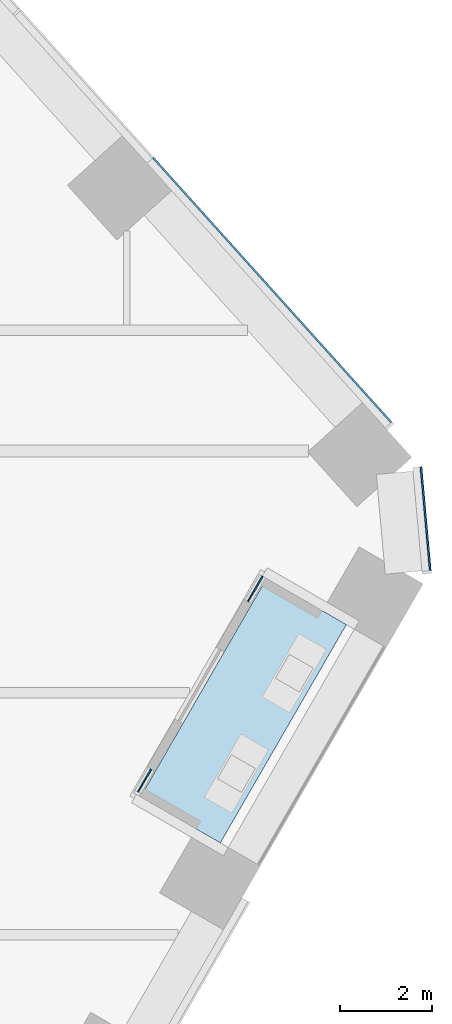
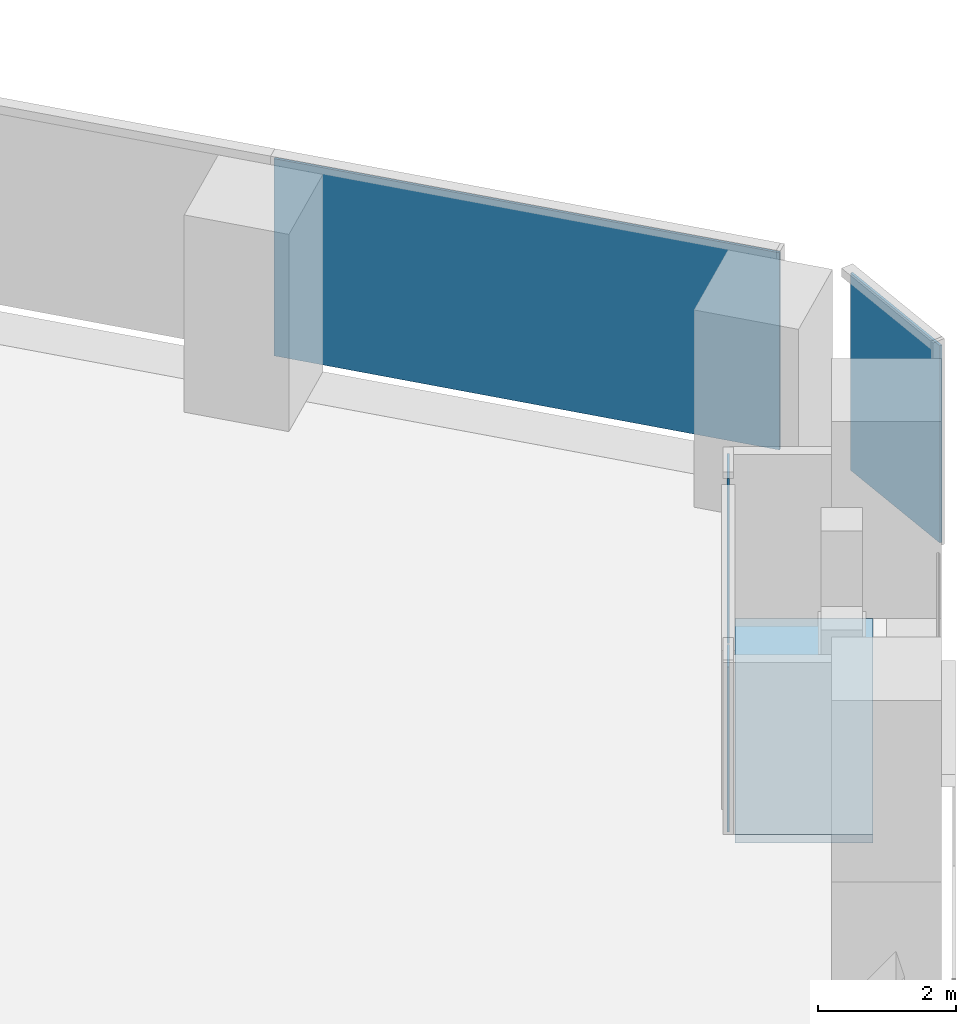
# One storey, part 19 of 28: 4 plates, 1 slab, 3 elements without a shape of their own.
"""IFC4 building model written with IfcOpenShell, lengths in metres."""

import ifcopenshell
import ifcopenshell.guid

model = None  # the IFC model being written
_history = None  # IfcOwnerHistory: only IFC2X3 demands one
_inside = {}  # id of a spatial element -> (the spatial element, [elements in it])
_under = {}  # id of a project, library or spatial element -> (it, [spatial elements below it])
_declared = {}  # id of a project -> (the project, [libraries it declares])
_typed = {}  # id of a type object -> (the type object, [elements of that type])
_made_of = {}  # id of a material, layer set ... -> (it, [elements and type objects made of it])


def new_model(schema):
    """Start an empty IFC model of exactly this schema.

    Asked for "IFC4X3", IfcOpenShell would pick the latest addendum, in which some entities
    have other attributes; the version numbers below select the first issue.
    IFC2X3 requires an IfcOwnerHistory on every rooted entity: one is made here for all.
    """
    global model, _history
    if schema == "IFC4X3":
        model = ifcopenshell.file(schema_version=(4, 3, 0, 0))
    else:
        model = ifcopenshell.file(schema=schema)
    _inside.clear()
    _under.clear()
    _declared.clear()
    _typed.clear()
    _made_of.clear()
    _history = None
    if model.schema == "IFC2X3":
        org = make("IfcOrganization", Name="unknown")
        user = make(
            "IfcPersonAndOrganization",
            ThePerson=make("IfcPerson", FamilyName="unknown"),
            TheOrganization=org,
        )
        app = make(
            "IfcApplication",
            ApplicationDeveloper=org,
            Version="unknown",
            ApplicationFullName="unknown",
            ApplicationIdentifier="unknown",
        )
        _history = make(
            "IfcOwnerHistory",
            OwningUser=user,
            OwningApplication=app,
            ChangeAction="ADDED",
            CreationDate=0,
        )
    return model


def make(cls, **values):
    """One entity of the class cls with the attributes given. An attribute that is None is left unset."""
    return model.create_entity(
        cls, **{name: value for name, value in values.items() if value is not None}
    )


def rooted(cls, **values):
    """An entity with a GlobalId (a new one), such as an element, a storey or a relation."""
    return make(cls, GlobalId=ifcopenshell.guid.new(), OwnerHistory=_history, **values)


def si_unit(unit_type, name, prefix=None):
    """IfcSIUnit, for example si_unit("LENGTHUNIT", "METRE", prefix="MILLI")."""
    return make("IfcSIUnit", UnitType=unit_type, Prefix=prefix, Name=name)


def assignment(units):
    """IfcUnitAssignment: the units of a project."""
    return None if units is None else make("IfcUnitAssignment", Units=units)


def point(xyz):
    """IfcCartesianPoint."""
    return None if xyz is None else make("IfcCartesianPoint", Coordinates=xyz)


def direction(xyz):
    """IfcDirection."""
    return None if xyz is None else make("IfcDirection", DirectionRatios=xyz)


def frame(location, z_axis=None, x_axis=None):
    """IfcAxis2Placement3D, a coordinate frame: its origin and axes. An axis left out is left unset."""
    return make(
        "IfcAxis2Placement3D",
        Location=point(location),
        Axis=direction(z_axis),
        RefDirection=direction(x_axis),
    )


def frame_2d(location, x_axis=None):
    """IfcAxis2Placement2D, a coordinate frame in the plane: its origin and x axis."""
    return make(
        "IfcAxis2Placement2D", Location=point(location), RefDirection=direction(x_axis)
    )


def origin():
    """The frame at (0, 0, 0) with its axes left unset."""
    return frame((0.0, 0.0, 0.0))


def origin_2d():
    """The frame at (0, 0) in the plane with its x axis left unset."""
    return frame_2d((0.0, 0.0))


def place(relative_to, where):
    """IfcLocalPlacement: puts the frame where relative to a parent placement (None: the world)."""
    return make(
        "IfcLocalPlacement", PlacementRelTo=relative_to, RelativePlacement=where
    )


def context(
    kind, dimensions, precision=None, world=None, true_north=None, identifier=None
):
    """IfcGeometricRepresentationContext, for example the 3D "Model" context."""
    return make(
        "IfcGeometricRepresentationContext",
        ContextIdentifier=identifier,
        ContextType=kind,
        CoordinateSpaceDimension=dimensions,
        Precision=precision,
        WorldCoordinateSystem=world,
        TrueNorth=true_north,
    )


def subcontext(parent, identifier, kind, view, scale=None):
    """IfcGeometricRepresentationSubContext, for example "Body" below "Model"."""
    return make(
        "IfcGeometricRepresentationSubContext",
        ContextIdentifier=identifier,
        ContextType=kind,
        ParentContext=parent,
        TargetScale=scale,
        TargetView=view,
    )


def project(units=None, contexts=None):
    """IfcProject with its units and contexts."""
    return rooted(
        "IfcProject",
        Name="project",
        RepresentationContexts=contexts,
        UnitsInContext=assignment(units),
    )


def spatial(cls, under=None, at=None, **own):
    """A site, building, storey or space (cls), placed at a placement, below another one or the project."""
    s = rooted(cls, ObjectPlacement=at, **own)
    if under is not None:
        _under.setdefault(under.id(), (under, []))[1].append(s)
    return s


def polyline(points):
    """IfcPolyline through the points."""
    return make("IfcPolyline", Points=[point(p) for p in points])


def profile(cls, at=None, kind="AREA", **sizes):
    """A parametric profile (cls). Its sizes go by their IFC names, for example OverallWidth=200.0."""
    return make(cls, ProfileType=kind, Position=at, **sizes)


def rectangle(**sizes):
    """IfcRectangleProfileDef."""
    return profile("IfcRectangleProfileDef", **sizes)


def outline(outer, holes=None, kind="AREA"):
    """IfcArbitraryClosedProfileDef: a profile drawn as a closed curve; with holes, ...WithVoids."""
    if holes is None:
        return make("IfcArbitraryClosedProfileDef", ProfileType=kind, OuterCurve=outer)
    return make(
        "IfcArbitraryProfileDefWithVoids",
        ProfileType=kind,
        OuterCurve=outer,
        InnerCurves=holes,
    )


def extrude(swept, where, along, depth):
    """IfcExtrudedAreaSolid: the profile swept, set in the frame where, extruded along a direction by depth."""
    return make(
        "IfcExtrudedAreaSolid",
        SweptArea=swept,
        Position=where,
        ExtrudedDirection=direction(along),
        Depth=depth,
    )


def shape(context_of_items, identifier, shape_type, items):
    """IfcShapeRepresentation: the items that make up one representation, for example the "Body"."""
    return make(
        "IfcShapeRepresentation",
        ContextOfItems=context_of_items,
        RepresentationIdentifier=identifier,
        RepresentationType=shape_type,
        Items=items,
    )


def material(Name=None, Category=None):
    """IfcMaterial."""
    return make("IfcMaterial", Name=Name, Category=Category)


def layer(
    of_material, thickness, ventilated=None, Name=None, Category=None, Priority=None
):
    """IfcMaterialLayer: one layer of a wall or slab, of a material (None: an air gap)."""
    return make(
        "IfcMaterialLayer",
        Material=of_material,
        LayerThickness=thickness,
        IsVentilated=ventilated,
        Name=Name,
        Category=Category,
        Priority=Priority,
    )


def layer_set(layers, Name=None):
    """IfcMaterialLayerSet."""
    return make("IfcMaterialLayerSet", MaterialLayers=layers, LayerSetName=Name)


def made_of(thing, what):
    """Note that an element or type object is made of a material, layer set ...; save() writes the relation."""
    if what is not None:
        _made_of.setdefault(what.id(), (what, []))[1].append(thing)
    return thing


def type_object(cls, material=None, **own):
    """A type object (cls), such as IfcWallType, which elements share."""
    return made_of(rooted(cls, **own), material)


def element(
    cls,
    number,
    at=None,
    inside=None,
    cuts=None,
    type_object=None,
    material=None,
    context=None,
    identifier="Body",
    shape_type=None,
    held_by="IfcProductDefinitionShape",
    body=None,
    shapes=None,
    **own,
):
    """One element of the class cls, such as IfcWall. Its Tag is "e" and its number.

    at: its placement. inside: the storey or other place that contains it. cuts: it is an
    opening in that element (IfcRelVoidsElement). A single representation is given by context,
    identifier, shape_type and body (its items); several are given by shapes. held_by: the class
    of the entity that holds the representations. save() writes the other relations.
    """
    e = rooted(cls, Tag="e%d" % number, ObjectPlacement=at, **own)
    if body is not None:
        shapes = [shape(context, identifier, shape_type, body)]
    if shapes is not None:
        e.Representation = make(held_by, Representations=shapes)
    if inside is not None:
        _inside.setdefault(inside.id(), (inside, []))[1].append(e)
    if cuts is not None:
        rooted(
            "IfcRelVoidsElement", RelatingBuildingElement=cuts, RelatedOpeningElement=e
        )
    if type_object is not None:
        _typed.setdefault(type_object.id(), (type_object, []))[1].append(e)
    return made_of(e, material)


def aggregate(whole, parts):
    """IfcRelAggregates: a whole, such as a stair, and the parts it consists of."""
    return rooted("IfcRelAggregates", RelatingObject=whole, RelatedObjects=parts)


def save(model, path):
    """Write the relations noted so far, then the file.

    IfcRelAggregates (storeys below a building ...), IfcRelContainedInSpatialStructure (elements
    in a storey), IfcRelDefinesByType, IfcRelAssociatesMaterial and IfcRelDeclares: one each for
    every whole, place, type object, material and project.
    """
    for whole, parts in _under.values():
        aggregate(whole, parts)
    for where, things in _inside.values():
        rooted(
            "IfcRelContainedInSpatialStructure",
            RelatedElements=things,
            RelatingStructure=where,
        )
    for kind, things in _typed.values():
        rooted("IfcRelDefinesByType", RelatedObjects=things, RelatingType=kind)
    for what, things in _made_of.values():
        rooted("IfcRelAssociatesMaterial", RelatedObjects=things, RelatingMaterial=what)
    for by, libraries in _declared.values():
        rooted("IfcRelDeclares", RelatingContext=by, RelatedDefinitions=libraries)
    model.write(path)


model = new_model("IFC4")

# Units and contexts
model_context = context("Model", 3, precision=1e-05, world=origin(), true_north=direction((0.0, 1.0)))
body_context = subcontext(model_context, "Body", "Model", "MODEL_VIEW")
ifc_project = project(units=[si_unit("LENGTHUNIT", "METRE"), si_unit("AREAUNIT", "SQUARE_METRE"), si_unit("VOLUMEUNIT", "CUBIC_METRE"), si_unit("PLANEANGLEUNIT", "RADIAN"), si_unit("MASSUNIT", "GRAM", prefix="KILO")], contexts=[model_context])

# Site, building, storey
site_placement = place(None, origin())
site = spatial("IfcSite", under=ifc_project, at=site_placement, CompositionType="ELEMENT")
building_placement = place(site_placement, origin())
building = spatial("IfcBuilding", under=site, at=building_placement, Name="Isthmus Gate Tower", CompositionType="ELEMENT")
storey_placement = place(building_placement, frame((0.0, 0.0, 98.89990234375)))
storey = spatial("IfcBuildingStorey", under=building, at=storey_placement, Name="L23", CompositionType="ELEMENT", Elevation=98.89990234375)

# Curtain wall, plate
ifc_material_1 = material(Name="Aluminium, pale champagne anodised", Category="aluminium")
ifc_layer_1 = layer(ifc_material_1, 0.199951171875)
ifc_layer_set_1 = layer_set([ifc_layer_1], Name="CW-1 UNITISED CURTAIN WALL 200 DEEP")
curtain_wall_type_1 = type_object("IfcCurtainWallType", Name="CW-1 UNITISED CURTAIN WALL 200 DEEP", PredefinedType="NOTDEFINED", material=ifc_layer_set_1)
curtain_wall_1_placement = place(storey_placement, origin())
curtain_wall_1 = element("IfcCurtainWall", 1, at=curtain_wall_1_placement, inside=storey, type_object=curtain_wall_type_1, Name="CW-1 SE-NE L23", PredefinedType="NOTDEFINED")
ifc_material_2 = material(Name="Laminated low-iron glass, pale blue tint", Category="glass")
ifc_layer_2 = layer(ifc_material_2, 0.0400390625)
ifc_layer_set_2 = layer_set([ifc_layer_2], Name="CW-1 CLEAR GLASS LITE 40")
plate_type_1 = type_object("IfcPlateType", Name="CW-1 CLEAR GLASS LITE 40", PredefinedType="CURTAIN_PANEL", material=ifc_layer_set_2)
plate_1_placement = place(storey_placement, frame((38.155029296875, 3.403564453125, 0.0), z_axis=(0.0, 0.0, 1.0), x_axis=(-0.089396669717, 0.995996102123, 0.0)))
plate_1 = element("IfcPlate", 2, at=plate_1_placement, type_object=plate_type_1, Name="CW-1 glass lite", PredefinedType="CURTAIN_PANEL", context=body_context, shape_type="SweptSolid", body=[
    extrude(rectangle(XDim=2.258544921875, YDim=0.0400390625, at=origin_2d()), origin(), (0.0, 0.0, 1.0), 3.5),
])
aggregate(curtain_wall_1, [plate_1])

curtain_wall_2_placement = place(storey_placement, origin())
curtain_wall_2 = element("IfcCurtainWall", 3, at=curtain_wall_2_placement, inside=storey, type_object=curtain_wall_type_1, Name="CW-1 NE L23", PredefinedType="NOTDEFINED")
plate_2_placement = place(storey_placement, frame((34.826904296875, 8.367919921875, 0.0), z_axis=(0.0, 0.0, 1.0), x_axis=(-0.669130606359, 0.743144825477, 0.0)))
plate_2 = element("IfcPlate", 4, at=plate_2_placement, type_object=plate_type_1, Name="CW-1 glass lite", PredefinedType="CURTAIN_PANEL", context=body_context, shape_type="SweptSolid", body=[
    extrude(rectangle(XDim=7.729248046875, YDim=0.0400390625, at=origin_2d()), origin(), (0.0, 0.0, 1.0), 3.5),
])
aggregate(curtain_wall_2, [plate_2])

# Curtain wall, plates
ifc_material_3 = material(Name="Aluminium, pale champagne anodised", Category="aluminium")
ifc_layer_3 = layer(ifc_material_3, 0.14990234375)
ifc_layer_set_3 = layer_set([ifc_layer_3], Name="CW-6 LOGGIA BACK WALL GLAZING 150 DEEP")
curtain_wall_type_2 = type_object("IfcCurtainWallType", Name="CW-6 LOGGIA BACK WALL GLAZING 150 DEEP", PredefinedType="NOTDEFINED", material=ifc_layer_set_3)
curtain_wall_3_placement = place(storey_placement, origin())
curtain_wall_3 = element("IfcCurtainWall", 5, at=curtain_wall_3_placement, inside=storey, type_object=curtain_wall_type_2, Name="CW-6 SE L23", PredefinedType="NOTDEFINED")
ifc_material_4 = material(Name="Laminated low-iron glass, clear", Category="glass")
ifc_layer_4 = layer(ifc_material_4, 0.031982421875)
ifc_layer_set_4 = layer_set([ifc_layer_4], Name="CW-6 CLEAR GLASS LITE 32")
plate_type_2 = type_object("IfcPlateType", Name="CW-6 CLEAR GLASS LITE 32", PredefinedType="CURTAIN_PANEL", material=ifc_layer_set_4)
plate_3_placement = place(storey_placement, frame((32.05517578125, -2.27880859375, 0.0), z_axis=(0.0, 0.0, 1.0), x_axis=(0.5, 0.866025403784, 0.0)))
plate_3 = element("IfcPlate", 6, at=plate_3_placement, type_object=plate_type_2, Name="CW-6 glass lite", PredefinedType="CURTAIN_PANEL", context=body_context, shape_type="SweptSolid", body=[
    extrude(rectangle(XDim=0.57470703125, YDim=0.031982421875, at=origin_2d()), origin(), (0.0, 0.0, 1.0), 2.929931640625),
])
plate_4_placement = place(storey_placement, frame((34.45751953125, 1.88232421875, 0.0), z_axis=(0.0, 0.0, 1.0), x_axis=(0.5, 0.866025403784, 0.0)))
plate_4 = element("IfcPlate", 7, at=plate_4_placement, type_object=plate_type_2, Name="CW-6 glass lite", PredefinedType="CURTAIN_PANEL", context=body_context, shape_type="SweptSolid", body=[
    extrude(rectangle(XDim=0.634765625, YDim=0.031982421875, at=origin_2d()), origin(), (0.0, 0.0, 1.0), 2.929931640625),
])
aggregate(curtain_wall_3, [plate_3, plate_4])

# Slab
ifc_material_5 = material(Name="Concrete f'c 50 MPa", Category="concrete")
ifc_layer_5 = layer(ifc_material_5, 0.14990234375)
ifc_layer_set_5 = layer_set([ifc_layer_5], Name="LOGGIA FLOOR SLAB 150")
slab_type = type_object("IfcSlabType", Name="LOGGIA FLOOR SLAB 150", PredefinedType="FLOOR", material=ifc_layer_set_5)
slab_placement = place(storey_placement, frame((0.0, 0.0, -0.14990234375)))
element("IfcSlab", 8, at=slab_placement, inside=storey, type_object=slab_type, Name="LOGGIA FLOOR", PredefinedType="FLOOR", context=body_context, shape_type="SweptSolid", body=[
    extrude(outline(polyline([(33.7001953125, -3.629638671875), (36.434814453125, 1.107177734375), (34.702880859375, 2.107177734375), (31.968017578125, -2.629638671875), (33.7001953125, -3.629638671875)])), origin(), (0.0, 0.0, 1.0), 0.14990234375),
])

save(model, "model.ifc")
